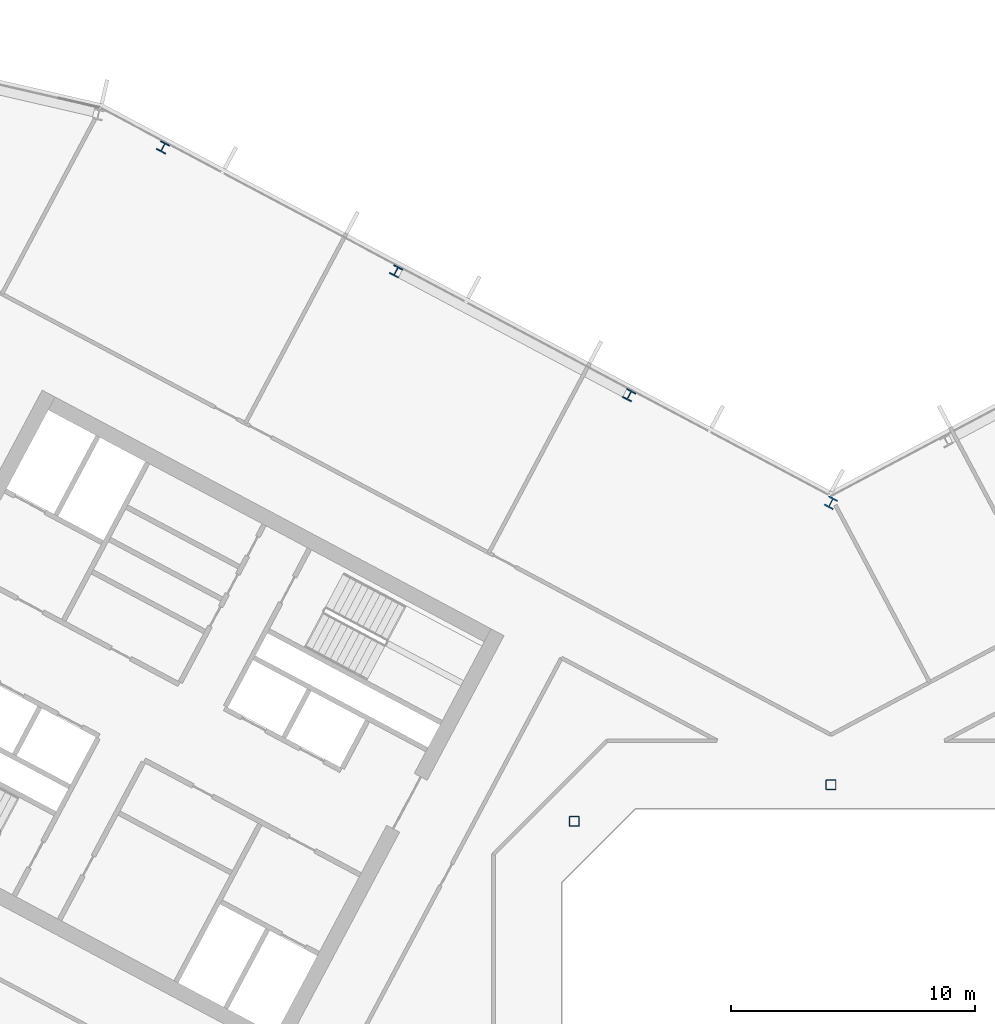
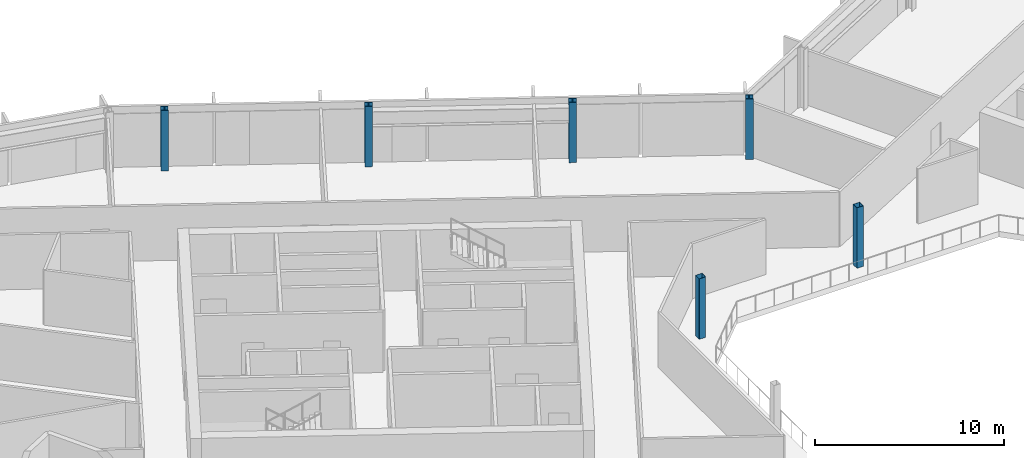
# One storey, part 4 of 26: 6 columns.
"""IFC4 building model written with IfcOpenShell, lengths in metres."""

from ifc_helpers import new_model, si_unit, direction, frame, origin, origin_2d, place, context, subcontext, project, spatial, hollow_rectangle, i_section, extrude, material, material_profile, profile_set, type_object, element, save


model = new_model("IFC4")

# Units and contexts
model_context = context("Model", 3, precision=1e-05, world=origin(), true_north=direction((0.0, 1.0)))
body_context = subcontext(model_context, "Body", "Model", "MODEL_VIEW")
ifc_project = project(units=[si_unit("LENGTHUNIT", "METRE"), si_unit("AREAUNIT", "SQUARE_METRE"), si_unit("VOLUMEUNIT", "CUBIC_METRE"), si_unit("PLANEANGLEUNIT", "RADIAN"), si_unit("MASSUNIT", "GRAM", prefix="KILO")], contexts=[model_context])

# Site, building, storey
site_placement = place(None, origin())
site = spatial("IfcSite", under=ifc_project, at=site_placement, CompositionType="ELEMENT")
building_placement = place(site_placement, origin())
building = spatial("IfcBuilding", under=site, at=building_placement, Name="Cormorant Relay Tower", CompositionType="ELEMENT")
storey_placement = place(building_placement, frame((0.0, 0.0, 205.199951171875)))
storey = spatial("IfcBuildingStorey", under=building, at=storey_placement, Name="L44", CompositionType="ELEMENT", Elevation=205.199951171875)

# Columns
ifc_material_1 = material(Name="Steel ASTM A500 Grade C (Fy 345 MPa)", Category="steel")
ifc_material_profile_1 = material_profile(ifc_material_1, hollow_rectangle(XDim=0.406494140625, YDim=0.406494140625, WallThickness=0.0146484375, InnerFilletRadius=0.00732421875, OuterFilletRadius=0.022216796875, at=origin_2d()), Name="HSS406x406x15")
ifc_profile_set_1 = profile_set([ifc_material_profile_1], Name="Steel ASTM A500 Grade C (Fy 345 MPa)")
column_type_1 = type_object("IfcColumnType", Name="Column HSS406x406x15", PredefinedType="COLUMN", material=ifc_profile_set_1)
for number, where, z_axis, x_axis, name in (
    (1, (-10.5, 10.5, 0.0), (0.0, 0.0, 1.0), (1.0, 0.0, 0.0), "Column L44-023"),
    (2, (0.0, 12.0, 0.0), (0.0, 0.0, 1.0), (1.0, 0.0, 0.0), "Column L44-025"),
):
    element("IfcColumn", number, at=place(storey_placement, frame(where, z_axis=z_axis, x_axis=x_axis)), inside=storey, type_object=column_type_1, Name=name, PredefinedType="COLUMN", context=body_context, shape_type="SweptSolid", body=[
        extrude(hollow_rectangle(XDim=0.406494140625, YDim=0.406494140625, WallThickness=0.0146484375, InnerFilletRadius=0.00732421875, OuterFilletRadius=0.022216796875, at=origin_2d()), origin(), (0.0, 0.0, 1.0), 3.900146484375),
    ])
ifc_material_2 = material(Name="Steel ASTM A992 (Fy 345 MPa)", Category="steel")
ifc_material_profile_2 = material_profile(ifc_material_2, i_section(OverallWidth=0.40380859375, OverallDepth=0.406494140625, WebThickness=0.027099609375, FlangeThickness=0.043701171875, FilletRadius=0.01513671875, at=origin_2d()), Name="W360x347")
ifc_profile_set_2 = profile_set([ifc_material_profile_2], Name="Steel ASTM A992 (Fy 345 MPa)")
column_type_2 = type_object("IfcColumnType", Name="Column W360x347", PredefinedType="COLUMN", material=ifc_profile_set_2)
for number, where, z_axis, x_axis, name in (
    (3, (-8.251953125, 27.93408203125, 0.0), (0.0, 0.0, 1.0), (-0.882947592859, 0.469471562786, 0.0), "Column L44-033"),
    (4, (-17.7880859375, 33.00390625, 0.0), (0.0, 0.0, 1.0), (-0.882947592859, 0.469471562786, 0.0), "Column L44-037"),
    (5, (-27.322998046875, 38.073974609375, 0.0), (0.0, 0.0, 1.0), (-0.882947592859, 0.469471562786, 0.0), "Column L44-040"),
):
    element("IfcColumn", number, at=place(storey_placement, frame(where, z_axis=z_axis, x_axis=x_axis)), inside=storey, type_object=column_type_2, Name=name, PredefinedType="COLUMN", context=body_context, shape_type="SweptSolid", body=[
        extrude(i_section(OverallWidth=0.40380859375, OverallDepth=0.406494140625, WebThickness=0.027099609375, FlangeThickness=0.043701171875, FilletRadius=0.01513671875, at=origin_2d()), origin(), (0.0, 0.0, 1.0), 3.900146484375),
    ])
ifc_material_3 = material(Name="Steel ASTM A992 (Fy 345 MPa)", Category="steel")
ifc_material_profile_3 = material_profile(ifc_material_3, i_section(OverallWidth=0.41162109375, OverallDepth=0.434326171875, WebThickness=0.035888671875, FlangeThickness=0.057373046875, FilletRadius=0.01513671875, at=origin_2d()), Name="W360x463")
ifc_profile_set_3 = profile_set([ifc_material_profile_3], Name="Steel ASTM A992 (Fy 345 MPa)")
column_type_3 = type_object("IfcColumnType", Name="Column W360x463", PredefinedType="COLUMN", material=ifc_profile_set_3)
column_placement = place(storey_placement, frame((0.0, 23.533935546875, 0.0), z_axis=(0.0, 0.0, 1.0), x_axis=(-0.882947592859, 0.469471562786, 0.0)))
element("IfcColumn", 6, at=column_placement, inside=storey, type_object=column_type_3, Name="Column L44-030", PredefinedType="COLUMN", context=body_context, shape_type="SweptSolid", body=[
    extrude(i_section(OverallWidth=0.41162109375, OverallDepth=0.434326171875, WebThickness=0.035888671875, FlangeThickness=0.057373046875, FilletRadius=0.01513671875, at=origin_2d()), origin(), (0.0, 0.0, 1.0), 3.900146484375),
])

save(model, "model.ifc")
